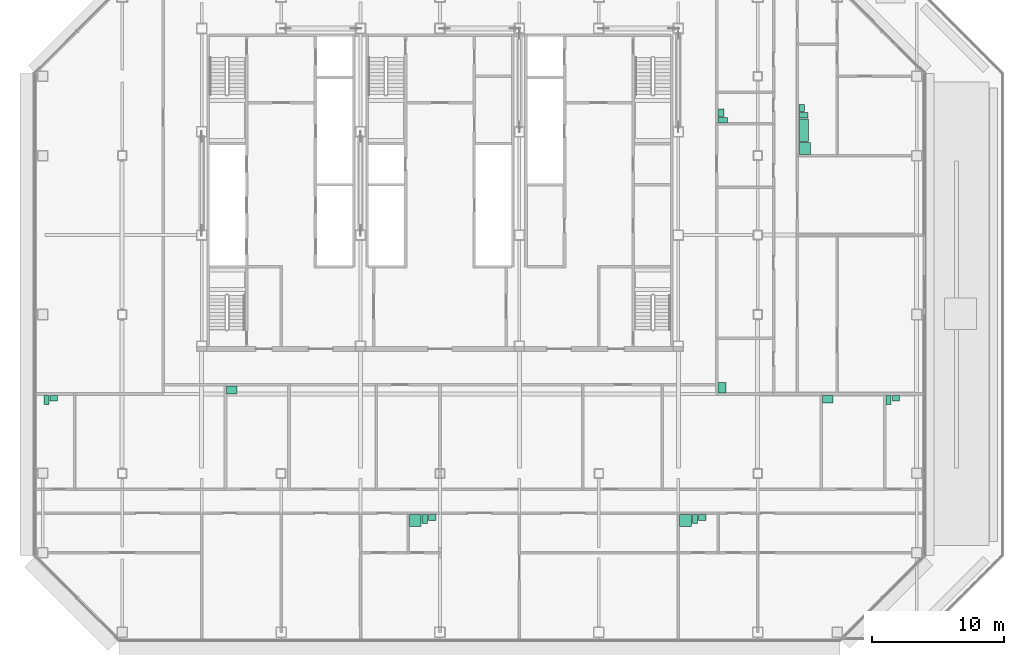
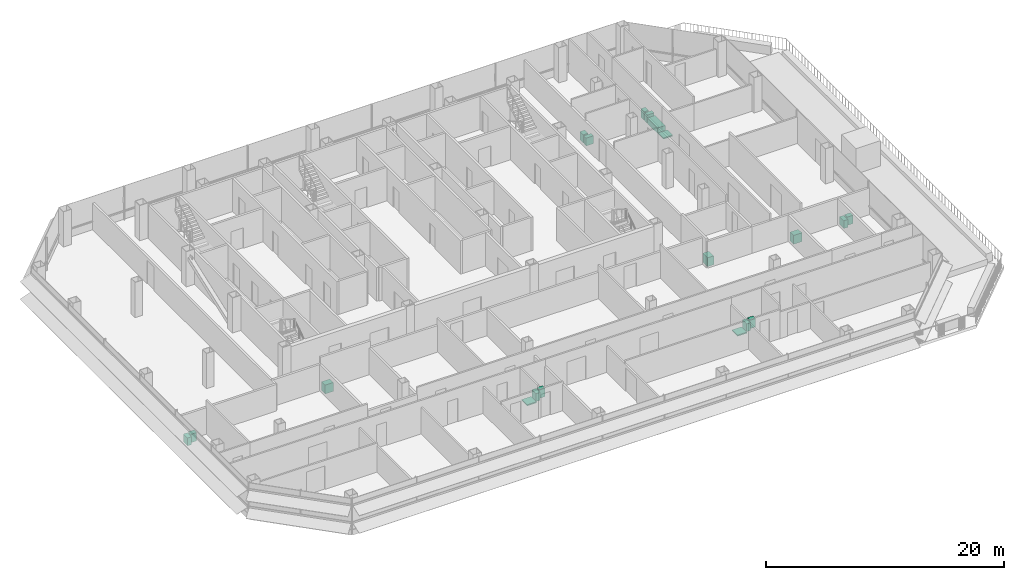
# One storey, part 27 of 28: 19 sanitary terminals.
"""IFC4 building model written with IfcOpenShell, lengths in metres."""

from ifc_helpers import new_model, si_unit, direction, frame, origin, origin_2d, place, context, subcontext, project, spatial, rectangle, extrude, element, save


model = new_model("IFC4")

# Units and contexts
model_context = context("Model", 3, precision=1e-05, world=origin(), true_north=direction((0.0, 1.0)))
body_context = subcontext(model_context, "Body", "Model", "MODEL_VIEW")
ifc_project = project(units=[si_unit("LENGTHUNIT", "METRE"), si_unit("AREAUNIT", "SQUARE_METRE"), si_unit("VOLUMEUNIT", "CUBIC_METRE"), si_unit("PLANEANGLEUNIT", "RADIAN"), si_unit("MASSUNIT", "GRAM", prefix="KILO")], contexts=[model_context])

# Site, building, storey
site_placement = place(None, origin())
site = spatial("IfcSite", under=ifc_project, at=site_placement, CompositionType="ELEMENT")
building_placement = place(site_placement, origin())
building = spatial("IfcBuilding", under=site, at=building_placement, Name="Sorahane Residences", CompositionType="ELEMENT")
storey_placement = place(building_placement, frame((0.0, 0.0, 96.199951171875)))
storey = spatial("IfcBuildingStorey", under=building, at=storey_placement, Name="L20", CompositionType="ELEMENT", Elevation=96.199951171875)

# Sanitary terminals
sanitary_terminal_1_placement = place(storey_placement, frame((22.1298828125, 8.449951171875, 0.0), z_axis=(0.0, 0.0, 1.0), x_axis=(1.0, 0.0, 0.0)))
element("IfcSanitaryTerminal", 1, at=sanitary_terminal_1_placement, inside=storey, Name="Shower tray En-suite bathroom 20A", PredefinedType="SHOWER", context=body_context, shape_type="SweptSolid", body=[
    extrude(rectangle(XDim=0.89990234375, YDim=0.89990234375, at=origin_2d()), origin(), (0.0, 0.0, 1.0), 0.1201171875),
])
sanitary_terminal_2_placement = place(storey_placement, frame((22.860107421875, 8.550048828125, 0.0), z_axis=(0.0, 0.0, 1.0), x_axis=(1.0, 0.0, 0.0)))
element("IfcSanitaryTerminal", 2, at=sanitary_terminal_2_placement, inside=storey, Name="WC pan En-suite bathroom 20A", PredefinedType="TOILETPAN", context=body_context, shape_type="SweptSolid", body=[
    extrude(rectangle(XDim=0.39990234375, YDim=0.699951171875, at=origin_2d()), origin(), (0.0, 0.0, 1.0), 0.800048828125),
])
sanitary_terminal_3_placement = place(storey_placement, frame((23.4150390625, 8.675048828125, 0.0), z_axis=(0.0, 0.0, 1.0), x_axis=(1.0, 0.0, 0.0)))
element("IfcSanitaryTerminal", 3, at=sanitary_terminal_3_placement, inside=storey, Name="Wash basin En-suite bathroom 20A", PredefinedType="WASHHANDBASIN", context=body_context, shape_type="SweptSolid", body=[
    extrude(rectangle(XDim=0.550048828125, YDim=0.449951171875, at=origin_2d()), origin(), (0.0, 0.0, 1.0), 0.85009765625),
])
sanitary_terminal_4_placement = place(storey_placement, frame((-5.719970703125, 17.550048828125, 0.0), z_axis=(0.0, 0.0, 1.0), x_axis=(1.0, 0.0, 0.0)))
element("IfcSanitaryTerminal", 4, at=sanitary_terminal_4_placement, inside=storey, Name="WC pan Guest WC 20A", PredefinedType="TOILETPAN", context=body_context, shape_type="SweptSolid", body=[
    extrude(rectangle(XDim=0.39990234375, YDim=0.699951171875, at=origin_2d()), origin(), (0.0, 0.0, 1.0), 0.800048828125),
])
sanitary_terminal_5_placement = place(storey_placement, frame((-5.1650390625, 17.675048828125, 0.0), z_axis=(0.0, 0.0, 1.0), x_axis=(1.0, 0.0, 0.0)))
element("IfcSanitaryTerminal", 5, at=sanitary_terminal_5_placement, inside=storey, Name="Wash basin Guest WC 20A", PredefinedType="WASHHANDBASIN", context=body_context, shape_type="SweptSolid", body=[
    extrude(rectangle(XDim=0.550048828125, YDim=0.449951171875, at=origin_2d()), origin(), (0.0, 0.0, 1.0), 0.85009765625),
])
sanitary_terminal_6_placement = place(storey_placement, frame((8.280029296875, 18.300048828125, 0.0), z_axis=(0.0, 0.0, 1.0), x_axis=(1.0, 0.0, 0.0)))
element("IfcSanitaryTerminal", 6, at=sanitary_terminal_6_placement, inside=storey, Name="Kitchen sink Kitchen 20A", PredefinedType="SINK", context=body_context, shape_type="SweptSolid", body=[
    extrude(rectangle(XDim=0.800048828125, YDim=0.60009765625, at=origin_2d()), origin(), (0.0, 0.0, 1.0), 0.89990234375),
])
sanitary_terminal_7_placement = place(storey_placement, frame((42.530029296875, 8.449951171875, 0.0), z_axis=(0.0, 0.0, 1.0), x_axis=(1.0, 0.0, 0.0)))
element("IfcSanitaryTerminal", 7, at=sanitary_terminal_7_placement, inside=storey, Name="Shower tray En-suite bathroom 20B", PredefinedType="SHOWER", context=body_context, shape_type="SweptSolid", body=[
    extrude(rectangle(XDim=0.89990234375, YDim=0.89990234375, at=origin_2d()), origin(), (0.0, 0.0, 1.0), 0.1201171875),
])
sanitary_terminal_8_placement = place(storey_placement, frame((43.260009765625, 8.550048828125, 0.0), z_axis=(0.0, 0.0, 1.0), x_axis=(1.0, 0.0, 0.0)))
element("IfcSanitaryTerminal", 8, at=sanitary_terminal_8_placement, inside=storey, Name="WC pan En-suite bathroom 20B", PredefinedType="TOILETPAN", context=body_context, shape_type="SweptSolid", body=[
    extrude(rectangle(XDim=0.39990234375, YDim=0.699951171875, at=origin_2d()), origin(), (0.0, 0.0, 1.0), 0.800048828125),
])
sanitary_terminal_9_placement = place(storey_placement, frame((43.81494140625, 8.675048828125, 0.0), z_axis=(0.0, 0.0, 1.0), x_axis=(1.0, 0.0, 0.0)))
element("IfcSanitaryTerminal", 9, at=sanitary_terminal_9_placement, inside=storey, Name="Wash basin En-suite bathroom 20B", PredefinedType="WASHHANDBASIN", context=body_context, shape_type="SweptSolid", body=[
    extrude(rectangle(XDim=0.550048828125, YDim=0.449951171875, at=origin_2d()), origin(), (0.0, 0.0, 1.0), 0.85009765625),
])
sanitary_terminal_10_placement = place(storey_placement, frame((53.280029296875, 17.60009765625, 0.0), z_axis=(0.0, 0.0, 1.0), x_axis=(1.0, 0.0, 0.0)))
element("IfcSanitaryTerminal", 10, at=sanitary_terminal_10_placement, inside=storey, Name="Kitchen sink Kitchen 20B", PredefinedType="SINK", context=body_context, shape_type="SweptSolid", body=[
    extrude(rectangle(XDim=0.800048828125, YDim=0.60009765625, at=origin_2d()), origin(), (0.0, 0.0, 1.0), 0.89990234375),
])
sanitary_terminal_11_placement = place(storey_placement, frame((57.8798828125, 17.550048828125, 0.0), z_axis=(0.0, 0.0, 1.0), x_axis=(1.0, 0.0, 0.0)))
element("IfcSanitaryTerminal", 11, at=sanitary_terminal_11_placement, inside=storey, Name="WC pan Guest WC 20B", PredefinedType="TOILETPAN", context=body_context, shape_type="SweptSolid", body=[
    extrude(rectangle(XDim=0.39990234375, YDim=0.699951171875, at=origin_2d()), origin(), (0.0, 0.0, 1.0), 0.800048828125),
])
sanitary_terminal_12_placement = place(storey_placement, frame((58.43505859375, 17.675048828125, 0.0), z_axis=(0.0, 0.0, 1.0), x_axis=(1.0, 0.0, 0.0)))
element("IfcSanitaryTerminal", 12, at=sanitary_terminal_12_placement, inside=storey, Name="Wash basin Guest WC 20B", PredefinedType="WASHHANDBASIN", context=body_context, shape_type="SweptSolid", body=[
    extrude(rectangle(XDim=0.550048828125, YDim=0.449951171875, at=origin_2d()), origin(), (0.0, 0.0, 1.0), 0.85009765625),
])
sanitary_terminal_13_placement = place(storey_placement, frame((51.550048828125, 36.530029296875, 0.0), z_axis=(0.0, 0.0, 1.0), x_axis=(0.0, 1.0, 0.0)))
element("IfcSanitaryTerminal", 13, at=sanitary_terminal_13_placement, inside=storey, Name="Shower tray En-suite bathroom 20C", PredefinedType="SHOWER", context=body_context, shape_type="SweptSolid", body=[
    extrude(rectangle(XDim=0.89990234375, YDim=0.89990234375, at=origin_2d()), origin(), (0.0, 0.0, 1.0), 0.1201171875),
])
sanitary_terminal_14_placement = place(storey_placement, frame((51.47509765625, 37.909912109375, 0.0), z_axis=(0.0, 0.0, 1.0), x_axis=(0.0, 1.0, 0.0)))
element("IfcSanitaryTerminal", 14, at=sanitary_terminal_14_placement, inside=storey, Name="Bath En-suite bathroom 20C", PredefinedType="BATH", context=body_context, shape_type="SweptSolid", body=[
    extrude(rectangle(XDim=1.699951171875, YDim=0.75, at=origin_2d()), origin(), (0.0, 0.0, 1.0), 0.56005859375),
])
sanitary_terminal_15_placement = place(storey_placement, frame((51.449951171875, 39.0400390625, 0.0), z_axis=(0.0, 0.0, 1.0), x_axis=(0.0, 1.0, 0.0)))
element("IfcSanitaryTerminal", 15, at=sanitary_terminal_15_placement, inside=storey, Name="WC pan En-suite bathroom 20C", PredefinedType="TOILETPAN", context=body_context, shape_type="SweptSolid", body=[
    extrude(rectangle(XDim=0.39990234375, YDim=0.699951171875, at=origin_2d()), origin(), (0.0, 0.0, 1.0), 0.800048828125),
])
sanitary_terminal_16_placement = place(storey_placement, frame((51.324951171875, 39.594970703125, 0.0), z_axis=(0.0, 0.0, 1.0), x_axis=(0.0, 1.0, 0.0)))
element("IfcSanitaryTerminal", 16, at=sanitary_terminal_16_placement, inside=storey, Name="Wash basin En-suite bathroom 20C", PredefinedType="WASHHANDBASIN", context=body_context, shape_type="SweptSolid", body=[
    extrude(rectangle(XDim=0.550048828125, YDim=0.449951171875, at=origin_2d()), origin(), (0.0, 0.0, 1.0), 0.85009765625),
])
sanitary_terminal_17_placement = place(storey_placement, frame((45.300048828125, 18.47998046875, 0.0), z_axis=(0.0, 0.0, 1.0), x_axis=(0.0, 1.0, 0.0)))
element("IfcSanitaryTerminal", 17, at=sanitary_terminal_17_placement, inside=storey, Name="Kitchen sink Kitchen 20C", PredefinedType="SINK", context=body_context, shape_type="SweptSolid", body=[
    extrude(rectangle(XDim=0.800048828125, YDim=0.60009765625, at=origin_2d()), origin(), (0.0, 0.0, 1.0), 0.89990234375),
])
sanitary_terminal_18_placement = place(storey_placement, frame((45.35009765625, 38.679931640625, 0.0), z_axis=(0.0, 0.0, 1.0), x_axis=(0.0, 1.0, 0.0)))
element("IfcSanitaryTerminal", 18, at=sanitary_terminal_18_placement, inside=storey, Name="WC pan Guest WC 20C", PredefinedType="TOILETPAN", context=body_context, shape_type="SweptSolid", body=[
    extrude(rectangle(XDim=0.39990234375, YDim=0.699951171875, at=origin_2d()), origin(), (0.0, 0.0, 1.0), 0.800048828125),
])
sanitary_terminal_19_placement = place(storey_placement, frame((45.22509765625, 39.235107421875, 0.0), z_axis=(0.0, 0.0, 1.0), x_axis=(0.0, 1.0, 0.0)))
element("IfcSanitaryTerminal", 19, at=sanitary_terminal_19_placement, inside=storey, Name="Wash basin Guest WC 20C", PredefinedType="WASHHANDBASIN", context=body_context, shape_type="SweptSolid", body=[
    extrude(rectangle(XDim=0.550048828125, YDim=0.449951171875, at=origin_2d()), origin(), (0.0, 0.0, 1.0), 0.85009765625),
])

save(model, "model.ifc")
